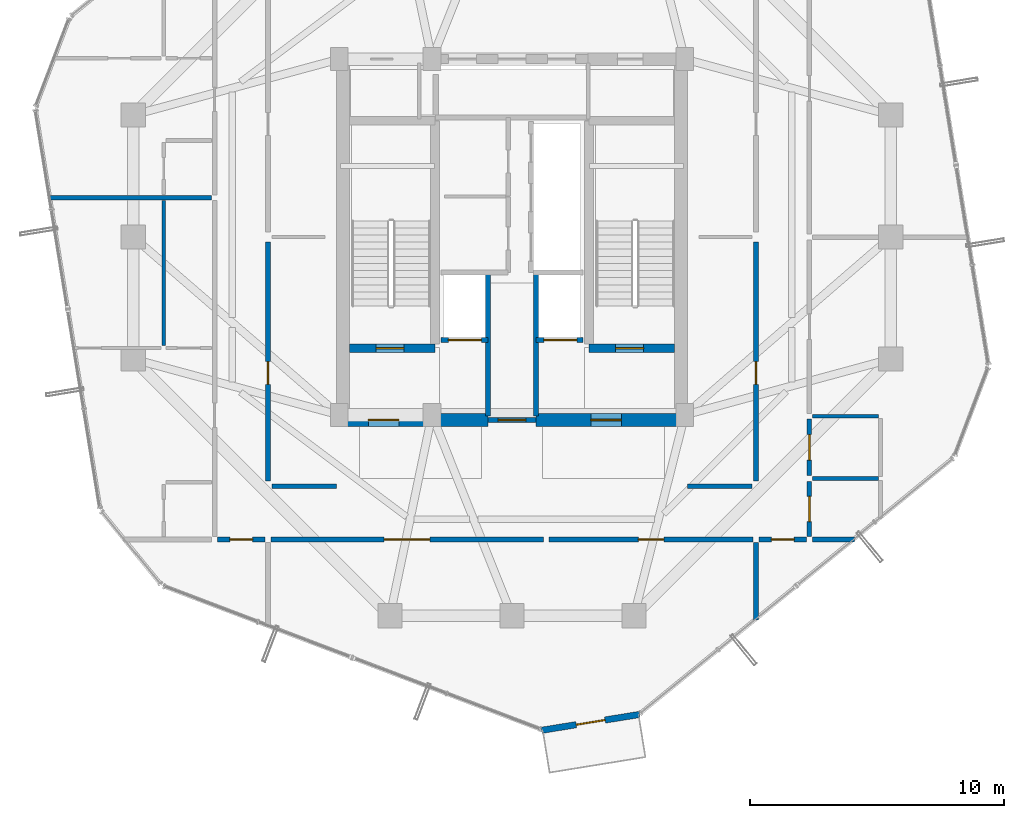
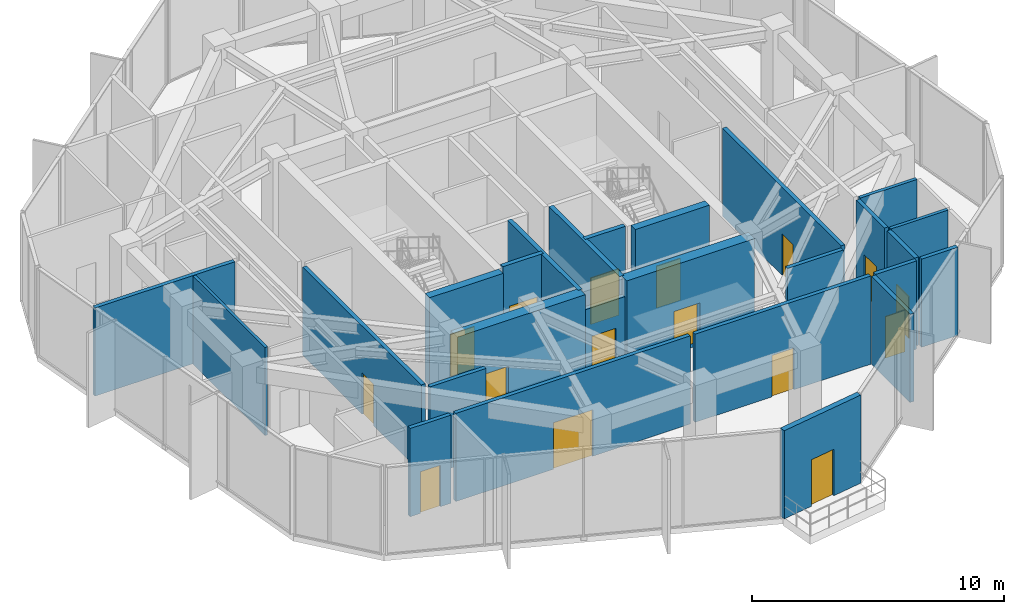
# One storey, part 18 of 22: 26 walls, 16 doors, 16 openings.
"""IFC4 building model written with IfcOpenShell, lengths in metres."""

from ifc_helpers import new_model, si_unit, direction, frame, frame_2d, origin, place, context, subcontext, project, spatial, rectangle, extrude, source, transform, mapped, material, layer, layer_set, type_object, element, fill, save


model = new_model("IFC4")

# Units and contexts
model_context = context("Model", 3, precision=1e-05, world=origin(), true_north=direction((0.0, 1.0)))
body_context = subcontext(model_context, "Body", "Model", "MODEL_VIEW")
ifc_project = project(units=[si_unit("LENGTHUNIT", "METRE"), si_unit("AREAUNIT", "SQUARE_METRE"), si_unit("VOLUMEUNIT", "CUBIC_METRE"), si_unit("PLANEANGLEUNIT", "RADIAN"), si_unit("MASSUNIT", "GRAM", prefix="KILO")], contexts=[model_context])

# Site, building, storey
site_placement = place(None, origin())
site = spatial("IfcSite", under=ifc_project, at=site_placement, CompositionType="ELEMENT")
building_placement = place(site_placement, origin())
building = spatial("IfcBuilding", under=site, at=building_placement, Name="Veraguas Prism Commons", CompositionType="ELEMENT")
storey_placement = place(building_placement, frame((0.0, 0.0, 174.35009765625)))
storey = spatial("IfcBuildingStorey", under=building, at=storey_placement, Name="L49", CompositionType="ELEMENT", Elevation=174.35009765625)

# Wall, opening, door
ifc_material_1 = material(Name="Concrete C50/60", Category="concrete")
ifc_layer_1 = layer(ifc_material_1, 0.35009765625, Name="Core Internal Shear Wall Upper RC 350", Category="concrete")
ifc_layer_set_1 = layer_set([ifc_layer_1], Name="Concrete C50/60")
wall_type_1 = type_object("IfcWallType", Name="Core Internal Shear Wall Upper RC 350", PredefinedType="SHEAR", material=ifc_layer_set_1)
wall_1_placement = place(storey_placement, frame((17.60009765625, 19.625, 0.0), z_axis=(0.0, 0.0, 1.0), x_axis=(1.0, 0.0, 0.0)))
wall_1 = element("IfcWall", 1, at=wall_1_placement, inside=storey, type_object=wall_type_1, Name="Stair ST-01 South Shear Wall L49", PredefinedType="SHEAR", context=body_context, shape_type="SweptSolid", body=[
    extrude(rectangle(XDim=3.375, YDim=0.35009765625, at=frame_2d((1.6875, 0.0))), origin(), (0.0, 0.0, 1.0), 4.264892578125),
])
opening_1_placement = place(wall_1_placement, frame((1.050048828125, 0.0, 0.0)))
opening_1 = element("IfcOpeningElement", 2, at=opening_1_placement, cuts=wall_1, Name="Opening DR-05", PredefinedType="OPENING", context=body_context, shape_type="SweptSolid", body=[
    extrude(rectangle(XDim=1.10009765625, YDim=2.030029296875, at=frame_2d((0.550048828125, 1.01513671875))), frame((0.0, 0.18505859375, 0.0), z_axis=(0.0, -1.0, 0.0), x_axis=(1.0, 0.0, 0.0)), (0.0, 0.0, 1.0), 0.3701171875),
])
ifc_material_2 = material(Name="Steel fire-rated door assembly", Category="steel")
door_type_1 = type_object("IfcDoorType", Name="Protected Stair and Refuge Fire Door 1100x2030", OperationType="NOTDEFINED", PredefinedType="DOOR", material=ifc_material_2)
shared_shape_1 = source(origin(), body_context, "Body", "SweptSolid", [
    extrude(rectangle(XDim=1.10009765625, YDim=2.030029296875, at=frame_2d((0.550048828125, 1.01513671875))), frame((0.0, 0.02490234375, 0.0), z_axis=(0.0, -1.0, 0.0), x_axis=(1.0, 0.0, 0.0)), (0.0, 0.0, 1.0), 0.050048828125),
])
door_1_placement = place(opening_1_placement, origin())
door_1 = element("IfcDoor", 3, at=door_1_placement, inside=storey, type_object=door_type_1, Name="Stair ST-01 Enclosure Door L49", OperationType="SINGLE_SWING_RIGHT", OverallHeight=2.030029296875, OverallWidth=1.10009765625, PredefinedType="DOOR", context=body_context, shape_type="MappedRepresentation", body=[
    mapped(shared_shape_1, transform((0.0, 0.0, 0.0), scale=1.0)),
])
fill(opening_1, door_1)

wall_2_placement = place(storey_placement, frame((27.02490234375, 19.625, 0.0), z_axis=(0.0, 0.0, 1.0), x_axis=(1.0, 0.0, 0.0)))
wall_2 = element("IfcWall", 4, at=wall_2_placement, inside=storey, type_object=wall_type_1, Name="Stair ST-02 South Shear Wall L49", PredefinedType="SHEAR", context=body_context, shape_type="SweptSolid", body=[
    extrude(rectangle(XDim=3.375, YDim=0.35009765625, at=frame_2d((1.6875, 0.0))), origin(), (0.0, 0.0, 1.0), 4.264892578125),
])
opening_2_placement = place(wall_2_placement, frame((1.050048828125, 0.0, 0.0)))
opening_2 = element("IfcOpeningElement", 5, at=opening_2_placement, cuts=wall_2, Name="Opening DR-05", PredefinedType="OPENING", context=body_context, shape_type="SweptSolid", body=[
    extrude(rectangle(XDim=1.10009765625, YDim=2.030029296875, at=frame_2d((0.550048828125, 1.01513671875))), frame((0.0, 0.18505859375, 0.0), z_axis=(0.0, -1.0, 0.0), x_axis=(1.0, 0.0, 0.0)), (0.0, 0.0, 1.0), 0.3701171875),
])
door_2_placement = place(opening_2_placement, origin())
door_2 = element("IfcDoor", 6, at=door_2_placement, inside=storey, type_object=door_type_1, Name="Stair ST-02 Enclosure Door L49", OperationType="SINGLE_SWING_LEFT", OverallHeight=2.030029296875, OverallWidth=1.10009765625, PredefinedType="DOOR", context=body_context, shape_type="MappedRepresentation", body=[
    mapped(shared_shape_1, transform((0.0, 0.0, 0.0), scale=1.0)),
])
fill(opening_2, door_2)

ifc_layer_2 = layer(ifc_material_1, 0.5, Name="Core Outer Shear Wall Upper RC 500", Category="concrete")
ifc_layer_set_2 = layer_set([ifc_layer_2], Name="Concrete C50/60")
wall_type_2 = type_object("IfcWallType", Name="Core Outer Shear Wall Upper RC 500", PredefinedType="SHEAR", material=ifc_layer_set_2)
wall_3_placement = place(storey_placement, frame((17.199951171875, 16.800048828125, 0.0), z_axis=(0.0, 0.0, 1.0), x_axis=(1.0, 0.0, 0.0)))
wall_3 = element("IfcWall", 7, at=wall_3_placement, inside=storey, type_object=wall_type_2, Name="Central Core South-West Shear Wall L49", PredefinedType="SHEAR", context=body_context, shape_type="SweptSolid", body=[
    extrude(rectangle(XDim=5.85009765625, YDim=0.5, at=frame_2d((2.925048828125, 0.0))), origin(), (0.0, 0.0, 1.0), 4.264892578125),
])
opening_3_placement = place(wall_3_placement, frame((1.14990234375, 0.0, 0.0)))
opening_3 = element("IfcOpeningElement", 8, at=opening_3_placement, cuts=wall_3, Name="Opening DR-06", PredefinedType="OPENING", context=body_context, shape_type="SweptSolid", body=[
    extrude(rectangle(XDim=1.199951171875, YDim=2.030029296875, at=frame_2d((0.60009765625, 1.01513671875))), frame((0.0, 0.260009765625, 0.0), z_axis=(0.0, -1.0, 0.0), x_axis=(1.0, 0.0, 0.0)), (0.0, 0.0, 1.0), 0.52001953125),
])
door_type_2 = type_object("IfcDoorType", Name="Firefighting Lobby Smoke Door 1200x2030", OperationType="NOTDEFINED", PredefinedType="DOOR", material=ifc_material_2)
shared_shape_2 = source(origin(), body_context, "Body", "SweptSolid", [
    extrude(rectangle(XDim=1.199951171875, YDim=2.030029296875, at=frame_2d((0.60009765625, 1.01513671875))), frame((0.0, 0.02490234375, 0.0), z_axis=(0.0, -1.0, 0.0), x_axis=(1.0, 0.0, 0.0)), (0.0, 0.0, 1.0), 0.050048828125),
])
door_3_placement = place(opening_3_placement, origin())
door_3 = element("IfcDoor", 9, at=door_3_placement, inside=storey, type_object=door_type_2, Name="West FF Lobby Door L49", OperationType="SINGLE_SWING_LEFT", OverallHeight=2.030029296875, OverallWidth=1.199951171875, PredefinedType="DOOR", context=body_context, shape_type="MappedRepresentation", body=[
    mapped(shared_shape_2, transform((0.0, 0.0, 0.0), scale=1.0)),
])
fill(opening_3, door_3)

wall_4_placement = place(storey_placement, frame((24.949951171875, 16.800048828125, 0.0), z_axis=(0.0, 0.0, 1.0), x_axis=(1.0, 0.0, 0.0)))
wall_4 = element("IfcWall", 10, at=wall_4_placement, inside=storey, type_object=wall_type_2, Name="Central Core South-East Shear Wall L49", PredefinedType="SHEAR", context=body_context, shape_type="SweptSolid", body=[
    extrude(rectangle(XDim=5.85009765625, YDim=0.5, at=frame_2d((2.925048828125, 0.0))), origin(), (0.0, 0.0, 1.0), 4.264892578125),
])
opening_4_placement = place(wall_4_placement, frame((2.14990234375, 0.0, 0.0)))
opening_4 = element("IfcOpeningElement", 11, at=opening_4_placement, cuts=wall_4, Name="Opening DR-06", PredefinedType="OPENING", context=body_context, shape_type="SweptSolid", body=[
    extrude(rectangle(XDim=1.199951171875, YDim=2.030029296875, at=frame_2d((0.60009765625, 1.01513671875))), frame((0.0, 0.260009765625, 0.0), z_axis=(0.0, -1.0, 0.0), x_axis=(1.0, 0.0, 0.0)), (0.0, 0.0, 1.0), 0.52001953125),
])
door_4_placement = place(opening_4_placement, origin())
door_4 = element("IfcDoor", 12, at=door_4_placement, inside=storey, type_object=door_type_2, Name="East FF Lobby Door L49", OperationType="SINGLE_SWING_LEFT", OverallHeight=2.030029296875, OverallWidth=1.199951171875, PredefinedType="DOOR", context=body_context, shape_type="MappedRepresentation", body=[
    mapped(shared_shape_2, transform((0.0, 0.0, 0.0), scale=1.0)),
])
fill(opening_4, door_4)

ifc_material_3 = material(Name="Autoclaved aerated masonry block 10 MPa", Category="masonry")
ifc_layer_3 = layer(ifc_material_3, 0.179931640625, Name="Corridor and Inter-Tenancy Partition 180", Category="masonry")
ifc_layer_set_3 = layer_set([ifc_layer_3], Name="Autoclaved aerated masonry block 10 MPa")
wall_type_3 = type_object("IfcWallType", Name="Corridor and Inter-Tenancy Partition 180", PredefinedType="PARTITIONING", material=ifc_layer_set_3)
wall_5_placement = place(storey_placement, frame((14.39990234375, 14.39990234375, 0.0), z_axis=(0.0, 0.0, 1.0), x_axis=(0.0, 1.0, 0.0)))
wall_5 = element("IfcWall", 13, at=wall_5_placement, inside=storey, type_object=wall_type_3, Name="WL-L49-IRW1", PredefinedType="PARTITIONING", context=body_context, shape_type="SweptSolid", body=[
    extrude(rectangle(XDim=9.400146484375, YDim=0.179931640625, at=frame_2d((4.7001953125, 0.0))), origin(), (0.0, 0.0, 1.0), 4.264892578125),
])
opening_5_placement = place(wall_5_placement, frame((3.800048828125, 0.0, 0.0)))
opening_5 = element("IfcOpeningElement", 14, at=opening_5_placement, cuts=wall_5, Name="Opening DR-14", PredefinedType="OPENING", context=body_context, shape_type="SweptSolid", body=[
    extrude(rectangle(XDim=0.89990234375, YDim=2.010009765625, at=frame_2d((0.449951171875, 1.0048828125))), frame((0.0, 0.099853515625, 0.0), z_axis=(0.0, -1.0, 0.0), x_axis=(1.0, 0.0, 0.0)), (0.0, 0.0, 1.0), 0.199951171875),
])
door_type_3 = type_object("IfcDoorType", Name="Core Service Room Fire Door 900x2010", OperationType="NOTDEFINED", PredefinedType="DOOR", material=ifc_material_2)
shared_shape_3 = source(origin(), body_context, "Body", "SweptSolid", [
    extrude(rectangle(XDim=0.89990234375, YDim=2.010009765625, at=frame_2d((0.449951171875, 1.0048828125))), frame((0.0, 0.02490234375, 0.0), z_axis=(0.0, -1.0, 0.0), x_axis=(1.0, 0.0, 0.0)), (0.0, 0.0, 1.0), 0.050048828125),
])
door_5_placement = place(opening_5_placement, origin())
door_5 = element("IfcDoor", 15, at=door_5_placement, inside=storey, type_object=door_type_3, Name="Residents Quiet Study Pod Door L49", OperationType="SINGLE_SWING_RIGHT", OverallHeight=2.010009765625, OverallWidth=0.89990234375, PredefinedType="DOOR", context=body_context, shape_type="MappedRepresentation", body=[
    mapped(shared_shape_3, transform((0.0, 0.0, 0.0), scale=1.0)),
])
fill(opening_5, door_5)

wall_6_placement = place(storey_placement, frame((33.60009765625, 14.39990234375, 0.0), z_axis=(0.0, 0.0, 1.0), x_axis=(0.0, 1.0, 0.0)))
wall_6 = element("IfcWall", 16, at=wall_6_placement, inside=storey, type_object=wall_type_3, Name="WL-L49-IRE1", PredefinedType="PARTITIONING", context=body_context, shape_type="SweptSolid", body=[
    extrude(rectangle(XDim=9.400146484375, YDim=0.179931640625, at=frame_2d((4.7001953125, 0.0))), origin(), (0.0, 0.0, 1.0), 4.264892578125),
])
opening_6_placement = place(wall_6_placement, frame((3.800048828125, 0.0, 0.0)))
opening_6 = element("IfcOpeningElement", 17, at=opening_6_placement, cuts=wall_6, Name="Opening DR-14", PredefinedType="OPENING", context=body_context, shape_type="SweptSolid", body=[
    extrude(rectangle(XDim=0.89990234375, YDim=2.010009765625, at=frame_2d((0.449951171875, 1.0048828125))), frame((0.0, 0.099853515625, 0.0), z_axis=(0.0, -1.0, 0.0), x_axis=(1.0, 0.0, 0.0)), (0.0, 0.0, 1.0), 0.199951171875),
])
door_6_placement = place(opening_6_placement, origin())
door_6 = element("IfcDoor", 18, at=door_6_placement, inside=storey, type_object=door_type_3, Name="Shared Laundry Annex Door L49", OperationType="SINGLE_SWING_RIGHT", OverallHeight=2.010009765625, OverallWidth=0.89990234375, PredefinedType="DOOR", context=body_context, shape_type="MappedRepresentation", body=[
    mapped(shared_shape_3, transform((0.0, 0.0, 0.0), scale=1.0)),
])
fill(opening_6, door_6)

# Walls
for number, where, z_axis, x_axis, name in (
    (19, (14.550048828125, 14.199951171875, 0.0), (0.0, 0.0, 1.0), (1.0, 0.0, 0.0), "WL-L49-IRWS"),
    (20, (30.89990234375, 14.199951171875, 0.0), (0.0, 0.0, 1.0), (1.0, 0.0, 0.0), "WL-L49-IRES"),
):
    element("IfcWall", number, at=place(storey_placement, frame(where, z_axis=z_axis, x_axis=x_axis)), inside=storey, type_object=wall_type_3, Name=name, PredefinedType="PARTITIONING", context=body_context, shape_type="SweptSolid", body=[
        extrude(rectangle(XDim=2.550048828125, YDim=0.179931640625, at=frame_2d((1.27490234375, 0.0))), origin(), (0.0, 0.0, 1.0), 4.264892578125),
    ])
wall_7_placement = place(storey_placement, frame((33.60009765625, 11.97998046875, 0.0), z_axis=(0.0, 0.0, 1.0), x_axis=(0.0, -1.0, 0.0)))
element("IfcWall", 21, at=wall_7_placement, inside=storey, type_object=wall_type_3, Name="WL-L49-PT002", PredefinedType="PARTITIONING", context=body_context, shape_type="SweptSolid", body=[
    extrude(rectangle(XDim=3.042724609375, YDim=0.179931640625, at=frame_2d((1.521484375, 0.0))), origin(), (0.0, 0.0, 1.0), 4.264892578125),
])

# Wall, opening, door
wall_8_placement = place(storey_placement, frame((14.510009765625, 12.10009765625, 0.0), z_axis=(0.0, 0.0, 1.0), x_axis=(1.0, 0.0, 0.0)))
wall_8 = element("IfcWall", 22, at=wall_8_placement, inside=storey, type_object=wall_type_3, Name="WL-L49-PT003", PredefinedType="PARTITIONING", context=body_context, shape_type="SweptSolid", body=[
    extrude(rectangle(XDim=10.723876953125, YDim=0.179931640625, at=frame_2d((5.36181640625, 0.0))), origin(), (0.0, 0.0, 1.0), 4.264892578125),
])
opening_7_placement = place(wall_8_placement, frame((4.4619140625, 0.0, 0.0)))
opening_7 = element("IfcOpeningElement", 23, at=opening_7_placement, cuts=wall_8, Name="Opening DR-07", PredefinedType="OPENING", context=body_context, shape_type="SweptSolid", body=[
    extrude(rectangle(XDim=1.800048828125, YDim=2.25, at=frame_2d((0.89990234375, 1.125))), frame((0.0, 0.099853515625, 0.0), z_axis=(0.0, -1.0, 0.0), x_axis=(1.0, 0.0, 0.0)), (0.0, 0.0, 1.0), 0.199951171875),
])
door_type_4 = type_object("IfcDoorType", Name="Corridor Double Fire Door 1800x2250", OperationType="NOTDEFINED", PredefinedType="DOOR", material=ifc_material_2)
shared_shape_4 = source(origin(), body_context, "Body", "SweptSolid", [
    extrude(rectangle(XDim=1.800048828125, YDim=2.25, at=frame_2d((0.89990234375, 1.125))), frame((0.0, 0.02490234375, 0.0), z_axis=(0.0, -1.0, 0.0), x_axis=(1.0, 0.0, 0.0)), (0.0, 0.0, 1.0), 0.050048828125),
])
door_7_placement = place(opening_7_placement, origin())
door_7 = element("IfcDoor", 24, at=door_7_placement, inside=storey, type_object=door_type_4, Name="Sky Pool Residents Lounge Door 1", OperationType="SINGLE_SWING_RIGHT", OverallHeight=2.25, OverallWidth=1.800048828125, PredefinedType="DOOR", context=body_context, shape_type="MappedRepresentation", body=[
    mapped(shared_shape_4, transform((0.0, 0.0, 0.0), scale=1.0)),
])
fill(opening_7, door_7)

wall_9_placement = place(storey_placement, frame((25.4541015625, 12.10009765625, 0.0), z_axis=(0.0, 0.0, 1.0), x_axis=(1.0, 0.0, 0.0)))
wall_9 = element("IfcWall", 25, at=wall_9_placement, inside=storey, type_object=wall_type_3, Name="WL-L49-PT004", PredefinedType="PARTITIONING", context=body_context, shape_type="SweptSolid", body=[
    extrude(rectangle(XDim=8.035888671875, YDim=0.179931640625, at=frame_2d((4.01806640625, 0.0))), origin(), (0.0, 0.0, 1.0), 4.264892578125),
])
opening_8_placement = place(wall_9_placement, frame((3.51806640625, 0.0, 0.0)))
opening_8 = element("IfcOpeningElement", 26, at=opening_8_placement, cuts=wall_9, Name="Opening DR-13", PredefinedType="OPENING", context=body_context, shape_type="SweptSolid", body=[
    extrude(rectangle(XDim=1.0, YDim=2.010009765625, at=frame_2d((0.5, 1.0048828125))), frame((0.0, 0.099853515625, 0.0), z_axis=(0.0, -1.0, 0.0), x_axis=(1.0, 0.0, 0.0)), (0.0, 0.0, 1.0), 0.199951171875),
])
door_type_5 = type_object("IfcDoorType", Name="Core Accessible WC and Clinic Fire Door 1000x2010", OperationType="NOTDEFINED", PredefinedType="DOOR", material=ifc_material_2)
shared_shape_5 = source(origin(), body_context, "Body", "SweptSolid", [
    extrude(rectangle(XDim=1.0, YDim=2.010009765625, at=frame_2d((0.5, 1.0048828125))), frame((0.0, 0.02490234375, 0.0), z_axis=(0.0, -1.0, 0.0), x_axis=(1.0, 0.0, 0.0)), (0.0, 0.0, 1.0), 0.050048828125),
])
door_8_placement = place(opening_8_placement, origin())
door_8 = element("IfcDoor", 27, at=door_8_placement, inside=storey, type_object=door_type_5, Name="Sky Pool Residents Lounge Door 2", OperationType="SINGLE_SWING_LEFT", OverallHeight=2.010009765625, OverallWidth=1.0, PredefinedType="DOOR", context=body_context, shape_type="MappedRepresentation", body=[
    mapped(shared_shape_5, transform((0.0, 0.0, 0.0), scale=1.0)),
])
fill(opening_8, door_8)

# Walls
wall_10_placement = place(storey_placement, frame((12.179931640625, 25.552001953125, 0.0), z_axis=(0.0, 0.0, 1.0), x_axis=(-1.0, 0.0, 0.0)))
element("IfcWall", 28, at=wall_10_placement, inside=storey, type_object=wall_type_3, Name="WL-L49-PT017", PredefinedType="PARTITIONING", context=body_context, shape_type="SweptSolid", body=[
    extrude(rectangle(XDim=6.402587890625, YDim=0.179931640625, at=frame_2d((3.201171875, 0.0))), origin(), (0.0, 0.0, 1.0), 4.264892578125),
])
wall_11_placement = place(storey_placement, frame((35.820068359375, 12.10009765625, 0.0), z_axis=(0.0, 0.0, 1.0), x_axis=(1.0, 0.0, 0.0)))
element("IfcWall", 29, at=wall_11_placement, inside=storey, type_object=wall_type_3, Name="WL-L49-PT024", PredefinedType="PARTITIONING", context=body_context, shape_type="SweptSolid", body=[
    extrude(rectangle(XDim=1.65771484375, YDim=0.179931640625, at=frame_2d((0.828857421875, 0.0))), origin(), (0.0, 0.0, 1.0), 4.264892578125),
])

# Wall, opening, door
wall_12_placement = place(storey_placement, frame((35.699951171875, 12.2099609375, 0.0), z_axis=(0.0, 0.0, 1.0), x_axis=(0.0, 1.0, 0.0)))
wall_12 = element("IfcWall", 30, at=wall_12_placement, inside=storey, type_object=wall_type_3, Name="WL-L49-PT026", PredefinedType="PARTITIONING", context=body_context, shape_type="SweptSolid", body=[
    extrude(rectangle(XDim=2.179931640625, YDim=0.179931640625, at=frame_2d((1.08984375, 0.0))), origin(), (0.0, 0.0, 1.0), 4.264892578125),
])
opening_9_placement = place(wall_12_placement, frame((0.590087890625, 0.0, 0.0)))
opening_9 = element("IfcOpeningElement", 31, at=opening_9_placement, cuts=wall_12, Name="Opening DR-13", PredefinedType="OPENING", context=body_context, shape_type="SweptSolid", body=[
    extrude(rectangle(XDim=1.0, YDim=2.010009765625, at=frame_2d((0.5, 1.0048828125))), frame((0.0, 0.099853515625, 0.0), z_axis=(0.0, -1.0, 0.0), x_axis=(1.0, 0.0, 0.0)), (0.0, 0.0, 1.0), 0.199951171875),
])
door_9_placement = place(opening_9_placement, origin())
door_9 = element("IfcDoor", 32, at=door_9_placement, inside=storey, type_object=door_type_5, Name="Public WC L49 Door", OperationType="SINGLE_SWING_RIGHT", OverallHeight=2.010009765625, OverallWidth=1.0, PredefinedType="DOOR", context=body_context, shape_type="MappedRepresentation", body=[
    mapped(shared_shape_5, transform((0.0, 0.0, 0.0), scale=1.0)),
])
fill(opening_9, door_9)

wall_13_placement = place(storey_placement, frame((35.699951171875, 14.610107421875, 0.0), z_axis=(0.0, 0.0, 1.0), x_axis=(0.0, 1.0, 0.0)))
wall_13 = element("IfcWall", 33, at=wall_13_placement, inside=storey, type_object=wall_type_3, Name="WL-L49-PT027", PredefinedType="PARTITIONING", context=body_context, shape_type="SweptSolid", body=[
    extrude(rectangle(XDim=2.22998046875, YDim=0.179931640625, at=frame_2d((1.114990234375, 0.0))), origin(), (0.0, 0.0, 1.0), 4.264892578125),
])
opening_10_placement = place(wall_13_placement, frame((0.614990234375, 0.0, 0.0)))
opening_10 = element("IfcOpeningElement", 34, at=opening_10_placement, cuts=wall_13, Name="Opening DR-13", PredefinedType="OPENING", context=body_context, shape_type="SweptSolid", body=[
    extrude(rectangle(XDim=1.0, YDim=2.010009765625, at=frame_2d((0.5, 1.0048828125))), frame((0.0, 0.099853515625, 0.0), z_axis=(0.0, -1.0, 0.0), x_axis=(1.0, 0.0, 0.0)), (0.0, 0.0, 1.0), 0.199951171875),
])
door_10_placement = place(opening_10_placement, origin())
door_10 = element("IfcDoor", 35, at=door_10_placement, inside=storey, type_object=door_type_5, Name="Accessible WC L49 Door", OperationType="SINGLE_SWING_LEFT", OverallHeight=2.010009765625, OverallWidth=1.0, PredefinedType="DOOR", context=body_context, shape_type="MappedRepresentation", body=[
    mapped(shared_shape_5, transform((0.0, 0.0, 0.0), scale=1.0)),
])
fill(opening_10, door_10)

wall_14_placement = place(storey_placement, frame((12.419921875, 12.10009765625, 0.0), z_axis=(0.0, 0.0, 1.0), x_axis=(1.0, 0.0, 0.0)))
wall_14 = element("IfcWall", 36, at=wall_14_placement, inside=storey, type_object=wall_type_3, Name="WL-L49-PT035", PredefinedType="PARTITIONING", context=body_context, shape_type="SweptSolid", body=[
    extrude(rectangle(XDim=1.860107421875, YDim=0.179931640625, at=frame_2d((0.93017578125, 0.0))), origin(), (0.0, 0.0, 1.0), 4.264892578125),
])
opening_11_placement = place(wall_14_placement, frame((0.47998046875, 0.0, 0.0)))
opening_11 = element("IfcOpeningElement", 37, at=opening_11_placement, cuts=wall_14, Name="Opening DR-14", PredefinedType="OPENING", context=body_context, shape_type="SweptSolid", body=[
    extrude(rectangle(XDim=0.89990234375, YDim=2.010009765625, at=frame_2d((0.449951171875, 1.0048828125))), frame((0.0, 0.099853515625, 0.0), z_axis=(0.0, -1.0, 0.0), x_axis=(1.0, 0.0, 0.0)), (0.0, 0.0, 1.0), 0.199951171875),
])
door_11_placement = place(opening_11_placement, origin())
door_11 = element("IfcDoor", 38, at=door_11_placement, inside=storey, type_object=door_type_3, Name="Shared Laundry Room SW Door", OperationType="SINGLE_SWING_RIGHT", OverallHeight=2.010009765625, OverallWidth=0.89990234375, PredefinedType="DOOR", context=body_context, shape_type="MappedRepresentation", body=[
    mapped(shared_shape_3, transform((0.0, 0.0, 0.0), scale=1.0)),
])
fill(opening_11, door_11)

wall_15_placement = place(storey_placement, frame((33.719970703125, 12.10009765625, 0.0), z_axis=(0.0, 0.0, 1.0), x_axis=(1.0, 0.0, 0.0)))
wall_15 = element("IfcWall", 39, at=wall_15_placement, inside=storey, type_object=wall_type_3, Name="WL-L49-PT036", PredefinedType="PARTITIONING", context=body_context, shape_type="SweptSolid", body=[
    extrude(rectangle(XDim=1.860107421875, YDim=0.179931640625, at=frame_2d((0.93017578125, 0.0))), origin(), (0.0, 0.0, 1.0), 4.264892578125),
])
opening_12_placement = place(wall_15_placement, frame((0.47998046875, 0.0, 0.0)))
opening_12 = element("IfcOpeningElement", 40, at=opening_12_placement, cuts=wall_15, Name="Opening DR-14", PredefinedType="OPENING", context=body_context, shape_type="SweptSolid", body=[
    extrude(rectangle(XDim=0.89990234375, YDim=2.010009765625, at=frame_2d((0.449951171875, 1.0048828125))), frame((0.0, 0.099853515625, 0.0), z_axis=(0.0, -1.0, 0.0), x_axis=(1.0, 0.0, 0.0)), (0.0, 0.0, 1.0), 0.199951171875),
])
door_12_placement = place(opening_12_placement, origin())
door_12 = element("IfcDoor", 41, at=door_12_placement, inside=storey, type_object=door_type_3, Name="Residents Study Room SE Door", OperationType="SINGLE_SWING_LEFT", OverallHeight=2.010009765625, OverallWidth=0.89990234375, PredefinedType="DOOR", context=body_context, shape_type="MappedRepresentation", body=[
    mapped(shared_shape_3, transform((0.0, 0.0, 0.0), scale=1.0)),
])
fill(opening_12, door_12)

ifc_material_4 = material(Name="Precast concrete C40/50", Category="concrete")
ifc_layer_4 = layer(ifc_material_4, 0.25, Name="External Loggia and Portal Wall 250", Category="concrete")
ifc_layer_set_4 = layer_set([ifc_layer_4], Name="Precast concrete C40/50")
wall_type_4 = type_object("IfcWallType", Name="External Loggia and Portal Wall 250", PredefinedType="SOLIDWALL", material=ifc_layer_set_4)
wall_16_placement = place(storey_placement, frame((25.16064453125, 4.5927734375, 0.0), z_axis=(0.0, 0.0, 1.0), x_axis=(0.98714034635, 0.159855987091, 0.0)))
wall_16 = element("IfcWall", 42, at=wall_16_placement, inside=storey, type_object=wall_type_4, Name="Corner Loggia Wall L49-C5", PredefinedType="SOLIDWALL", context=body_context, shape_type="SweptSolid", body=[
    extrude(rectangle(XDim=3.914306640625, YDim=0.25, at=frame_2d((1.95703125, 0.0))), origin(), (0.0, 0.0, 1.0), 4.264892578125),
])
opening_13_placement = place(wall_16_placement, frame((1.382080078125, 0.0, 0.0)))
opening_13 = element("IfcOpeningElement", 43, at=opening_13_placement, cuts=wall_16, Name="Opening DR-10", PredefinedType="OPENING", context=body_context, shape_type="SweptSolid", body=[
    extrude(rectangle(XDim=1.14990234375, YDim=2.25, at=frame_2d((0.574951171875, 1.125))), frame((0.0, 0.135009765625, 0.0), z_axis=(0.0, -1.0, 0.0), x_axis=(1.0, 0.0, 0.0)), (0.0, 0.0, 1.0), 0.27001953125),
])
ifc_material_5 = material(Name="Anodised aluminium EN AW-6063 T6", Category="aluminium")
door_type_6 = type_object("IfcDoorType", Name="Glazed Loggia and Terrace Door 1150x2250", OperationType="NOTDEFINED", PredefinedType="DOOR", material=ifc_material_5)
shared_shape_6 = source(origin(), body_context, "Body", "SweptSolid", [
    extrude(rectangle(XDim=1.14990234375, YDim=2.25, at=frame_2d((0.574951171875, 1.125))), frame((0.0, 0.02490234375, 0.0), z_axis=(0.0, -1.0, 0.0), x_axis=(1.0, 0.0, 0.0)), (0.0, 0.0, 1.0), 0.050048828125),
])
door_13_placement = place(opening_13_placement, frame((1.14990234375, 0.0, 0.0), z_axis=(0.0, 0.0, 1.0), x_axis=(-1.0, 0.0, 0.0)))
door_13 = element("IfcDoor", 44, at=door_13_placement, inside=storey, type_object=door_type_6, Name="Recessed Loggia Door L49-C5", OperationType="SINGLE_SWING_LEFT", OverallHeight=2.25, OverallWidth=1.14990234375, PredefinedType="DOOR", context=body_context, shape_type="MappedRepresentation", body=[
    mapped(shared_shape_6, transform((0.0, 0.0, 0.0), scale=1.0)),
])
fill(opening_13, door_13)

# Wall
ifc_material_6 = material(Name="Lightweight acoustic gypsum board")
ifc_layer_5 = layer(ifc_material_6, 0.125, Name="Internal Apartment Room Partition 125")
ifc_layer_set_5 = layer_set([ifc_layer_5], Name="Lightweight acoustic gypsum board")
wall_type_5 = type_object("IfcWallType", Name="Internal Apartment Room Partition 125", PredefinedType="PARTITIONING", material=ifc_layer_set_5)
wall_17_placement = place(storey_placement, frame((10.300048828125, 19.73291015625, 0.0), z_axis=(0.0, 0.0, 1.0), x_axis=(0.0, 1.0, 0.0)))
element("IfcWall", 45, at=wall_17_placement, inside=storey, type_object=wall_type_5, Name="WL-L49-PT015", PredefinedType="PARTITIONING", context=body_context, shape_type="SweptSolid", body=[
    extrude(rectangle(XDim=5.698974609375, YDim=0.125, at=frame_2d((2.849609375, 0.0))), origin(), (0.0, 0.0, 1.0), 4.264892578125),
])

# Wall, opening, door
ifc_layer_6 = layer(ifc_material_3, 0.199951171875, Name="Rated Shaft and Lobby Block Wall 200", Category="masonry")
ifc_layer_set_6 = layer_set([ifc_layer_6], Name="Autoclaved aerated masonry block 10 MPa")
wall_type_6 = type_object("IfcWallType", Name="Rated Shaft and Lobby Block Wall 200", PredefinedType="SOLIDWALL", material=ifc_layer_set_6)
wall_18_placement = place(storey_placement, frame((23.050048828125, 16.800048828125, 0.0), z_axis=(0.0, 0.0, 1.0), x_axis=(1.0, 0.0, 0.0)))
wall_18 = element("IfcWall", 46, at=wall_18_placement, inside=storey, type_object=wall_type_6, Name="Central Core Lobby Entrance Wall L49", PredefinedType="SOLIDWALL", context=body_context, shape_type="SweptSolid", body=[
    extrude(rectangle(XDim=1.89990234375, YDim=0.199951171875, at=frame_2d((0.949951171875, 0.0))), origin(), (0.0, 0.0, 1.0), 3.414794921875),
])
opening_14_placement = place(wall_18_placement, frame((0.39990234375, 0.0, 0.0)))
opening_14 = element("IfcOpeningElement", 47, at=opening_14_placement, cuts=wall_18, Name="Opening DR-05", PredefinedType="OPENING", context=body_context, shape_type="SweptSolid", body=[
    extrude(rectangle(XDim=1.10009765625, YDim=2.030029296875, at=frame_2d((0.550048828125, 1.01513671875))), frame((0.0, 0.10986328125, 0.0), z_axis=(0.0, -1.0, 0.0), x_axis=(1.0, 0.0, 0.0)), (0.0, 0.0, 1.0), 0.219970703125),
])
door_14_placement = place(opening_14_placement, origin())
door_14 = element("IfcDoor", 48, at=door_14_placement, inside=storey, type_object=door_type_1, Name="Central Lobby Door L49", OperationType="SINGLE_SWING_RIGHT", OverallHeight=2.030029296875, OverallWidth=1.10009765625, PredefinedType="DOOR", context=body_context, shape_type="MappedRepresentation", body=[
    mapped(shared_shape_1, transform((0.0, 0.0, 0.0), scale=1.0)),
])
fill(opening_14, door_14)

wall_19_placement = place(storey_placement, frame((21.199951171875, 19.949951171875, 0.0), z_axis=(0.0, 0.0, 1.0), x_axis=(1.0, 0.0, 0.0)))
wall_19 = element("IfcWall", 49, at=wall_19_placement, inside=storey, type_object=wall_type_6, Name="Firefighting Lift FFL-1 Front Wall L49", PredefinedType="SOLIDWALL", context=body_context, shape_type="SweptSolid", body=[
    extrude(rectangle(XDim=1.85009765625, YDim=0.199951171875, at=frame_2d((0.925048828125, 0.0))), origin(), (0.0, 0.0, 1.0), 4.264892578125),
])
opening_15_placement = place(wall_19_placement, frame((0.300048828125, 0.0, 0.0)))
opening_15 = element("IfcOpeningElement", 50, at=opening_15_placement, cuts=wall_19, Name="Opening LD-02", PredefinedType="OPENING", context=body_context, shape_type="SweptSolid", body=[
    extrude(rectangle(XDim=1.300048828125, YDim=2.25, at=frame_2d((0.64990234375, 1.125))), frame((0.0, 0.10986328125, 0.0), z_axis=(0.0, -1.0, 0.0), x_axis=(1.0, 0.0, 0.0)), (0.0, 0.0, 1.0), 0.219970703125),
])
ifc_material_7 = material(Name="Stainless steel AISI 316", Category="steel")
door_type_7 = type_object("IfcDoorType", Name="Firefighting Lift Sliding Landing Door 1300x2250", OperationType="NOTDEFINED", PredefinedType="DOOR", material=ifc_material_7)
shared_shape_7 = source(origin(), body_context, "Body", "SweptSolid", [
    extrude(rectangle(XDim=1.300048828125, YDim=2.25, at=frame_2d((0.64990234375, 1.125))), frame((0.0, 0.02490234375, 0.0), z_axis=(0.0, -1.0, 0.0), x_axis=(1.0, 0.0, 0.0)), (0.0, 0.0, 1.0), 0.050048828125),
])
door_15_placement = place(opening_15_placement, origin())
door_15 = element("IfcDoor", 51, at=door_15_placement, inside=storey, type_object=door_type_7, Name="Firefighting Lift FFL-1 Landing Door L49", OperationType="SLIDING_TO_LEFT", OverallHeight=2.25, OverallWidth=1.300048828125, PredefinedType="DOOR", context=body_context, shape_type="MappedRepresentation", body=[
    mapped(shared_shape_7, transform((0.0, 0.0, 0.0), scale=1.0)),
])
fill(opening_15, door_15)

wall_20_placement = place(storey_placement, frame((24.949951171875, 19.949951171875, 0.0), z_axis=(0.0, 0.0, 1.0), x_axis=(1.0, 0.0, 0.0)))
wall_20 = element("IfcWall", 52, at=wall_20_placement, inside=storey, type_object=wall_type_6, Name="Firefighting Lift FFL-2 Front Wall L49", PredefinedType="SOLIDWALL", context=body_context, shape_type="SweptSolid", body=[
    extrude(rectangle(XDim=1.85009765625, YDim=0.199951171875, at=frame_2d((0.925048828125, 0.0))), origin(), (0.0, 0.0, 1.0), 4.264892578125),
])
opening_16_placement = place(wall_20_placement, frame((0.300048828125, 0.0, 0.0)))
opening_16 = element("IfcOpeningElement", 53, at=opening_16_placement, cuts=wall_20, Name="Opening LD-02", PredefinedType="OPENING", context=body_context, shape_type="SweptSolid", body=[
    extrude(rectangle(XDim=1.300048828125, YDim=2.25, at=frame_2d((0.64990234375, 1.125))), frame((0.0, 0.10986328125, 0.0), z_axis=(0.0, -1.0, 0.0), x_axis=(1.0, 0.0, 0.0)), (0.0, 0.0, 1.0), 0.219970703125),
])
door_16_placement = place(opening_16_placement, origin())
door_16 = element("IfcDoor", 54, at=door_16_placement, inside=storey, type_object=door_type_7, Name="Firefighting Lift FFL-2 Front Wall L49", OperationType="SLIDING_TO_LEFT", OverallHeight=2.25, OverallWidth=1.300048828125, PredefinedType="DOOR", context=body_context, shape_type="MappedRepresentation", body=[
    mapped(shared_shape_7, transform((0.0, 0.0, 0.0), scale=1.0)),
])
fill(opening_16, door_16)

# Walls
for number, where, z_axis, x_axis, name in (
    (55, (23.050048828125, 16.949951171875, 0.0), (0.0, 0.0, 1.0), (0.0, 1.0, 0.0), "West FF Lobby Divider Wall L49"),
    (56, (24.949951171875, 16.949951171875, 0.0), (0.0, 0.0, 1.0), (0.0, 1.0, 0.0), "East FF Lobby Divider Wall L49"),
):
    element("IfcWall", number, at=place(storey_placement, frame(where, z_axis=z_axis, x_axis=x_axis)), inside=storey, type_object=wall_type_6, Name=name, PredefinedType="SOLIDWALL", context=body_context, shape_type="SweptSolid", body=[
        extrude(rectangle(XDim=5.60009765625, YDim=0.199951171875, at=frame_2d((2.800048828125, 0.0))), origin(), (0.0, 0.0, 1.0), 4.264892578125),
    ])
ifc_layer_7 = layer(ifc_material_6, 0.14990234375, Name="Wet Room and Clinic Acoustic Partition 150")
ifc_layer_set_7 = layer_set([ifc_layer_7], Name="Lightweight acoustic gypsum board")
wall_type_7 = type_object("IfcWallType", Name="Wet Room and Clinic Acoustic Partition 150", PredefinedType="PARTITIONING", material=ifc_layer_set_7)
for number, where, z_axis, x_axis, name in (
    (57, (35.820068359375, 14.5, 0.0), (0.0, 0.0, 1.0), (1.0, 0.0, 0.0), "WL-L49-PT030"),
    (58, (35.820068359375, 16.949951171875, 0.0), (0.0, 0.0, 1.0), (1.0, 0.0, 0.0), "WL-L49-PT031"),
):
    element("IfcWall", number, at=place(storey_placement, frame(where, z_axis=z_axis, x_axis=x_axis)), inside=storey, type_object=wall_type_7, Name=name, PredefinedType="PARTITIONING", context=body_context, shape_type="SweptSolid", body=[
        extrude(rectangle(XDim=2.599853515625, YDim=0.14990234375, at=frame_2d((1.2998046875, 0.0))), origin(), (0.0, 0.0, 1.0), 4.264892578125),
    ])

save(model, "model.ifc")
